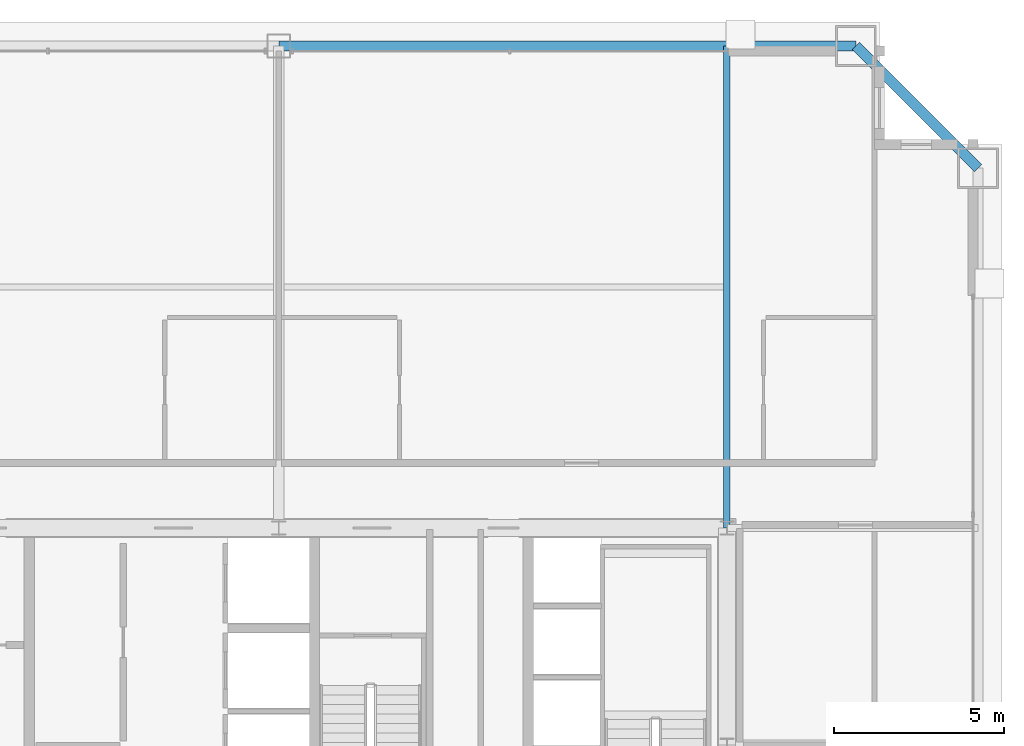
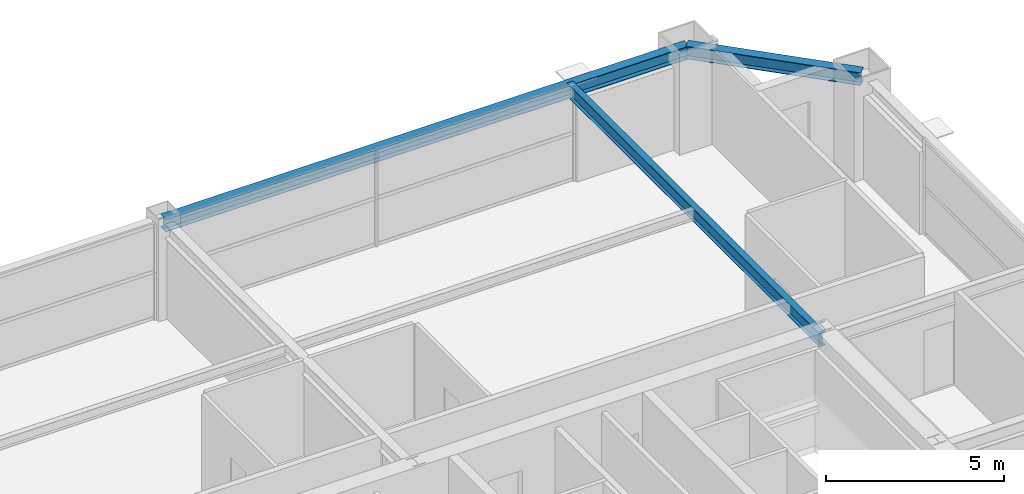
# One storey, part 29 of 36: 3 beams.
"""IFC4 building model written with IfcOpenShell, lengths in metres."""

from ifc_helpers import new_model, si_unit, direction, frame, origin, origin_2d, place, context, subcontext, project, spatial, i_section, extrude, source, transform, mapped, material, material_profile, profile_set, type_object, element, save


model = new_model("IFC4")

# Units and contexts
model_context = context("Model", 3, precision=1e-05, world=origin(), true_north=direction((0.0, 1.0)))
body_context = subcontext(model_context, "Body", "Model", "MODEL_VIEW")
ifc_project = project(units=[si_unit("LENGTHUNIT", "METRE"), si_unit("AREAUNIT", "SQUARE_METRE"), si_unit("VOLUMEUNIT", "CUBIC_METRE"), si_unit("PLANEANGLEUNIT", "RADIAN"), si_unit("MASSUNIT", "GRAM", prefix="KILO"), si_unit("THERMODYNAMICTEMPERATUREUNIT", "KELVIN"), si_unit("POWERUNIT", "WATT")], contexts=[model_context])

# Site, building, storey
site_placement = place(None, origin())
site = spatial("IfcSite", under=ifc_project, at=site_placement, CompositionType="ELEMENT")
building_placement = place(site_placement, origin())
building = spatial("IfcBuilding", under=site, at=building_placement, Name="Yuzanri Waterfront Tower", CompositionType="ELEMENT")
storey_placement = place(building_placement, frame((0.0, 0.0, 224.10009765625)))
storey = spatial("IfcBuildingStorey", under=building, at=storey_placement, Name="L59", CompositionType="ELEMENT", Elevation=224.10009765625)

# Beams
ifc_material_1 = material(Name="Steel Q355B", Category="steel")
ifc_material_profile_1 = material_profile(ifc_material_1, i_section(OverallWidth=0.300048828125, OverallDepth=0.43994140625, WebThickness=0.010986328125, FlangeThickness=0.01806640625, at=origin_2d()), Name="HM 440x300x11x18")
ifc_profile_set_1 = profile_set([ifc_material_profile_1], Name="Steel Q355B")
beam_type_1 = type_object("IfcBeamType", Name="Perimeter Spandrel Q355B HM 440x300", PredefinedType="SPANDREL", material=ifc_profile_set_1)
shared_shape_1 = source(origin(), body_context, "Body", "SweptSolid", [
    extrude(i_section(OverallWidth=0.300048828125, OverallDepth=0.43994140625, WebThickness=0.010986328125, FlangeThickness=0.01806640625, at=origin_2d()), origin(), (0.0, 0.0, 1.0), 5.091064453125),
])
beam_1_placement = place(storey_placement, frame((57.60009765625, 42.800048828125, 3.059814453125), z_axis=(-0.707130757816, 0.707082803744, 0.0), x_axis=(-0.707082803744, -0.707130757816, 0.0)))
element("IfcBeam", 1, at=beam_1_placement, inside=storey, type_object=beam_type_1, Name="L59 Perimeter Spandrel E3-N3", PredefinedType="SPANDREL", context=body_context, shape_type="MappedRepresentation", body=[
    mapped(shared_shape_1, transform((0.0, 0.0, 0.0), scale=1.0)),
])
shared_shape_2 = source(origin(), body_context, "Body", "SweptSolid", [
    extrude(i_section(OverallWidth=0.300048828125, OverallDepth=0.43994140625, WebThickness=0.010986328125, FlangeThickness=0.01806640625, at=origin_2d()), origin(), (0.0, 0.0, 1.0), 17.0),
])
beam_2_placement = place(storey_placement, frame((54.0, 46.39990234375, 3.059814453125), z_axis=(-1.0, 0.0, 0.0), x_axis=(0.0, -1.0, 0.0)))
element("IfcBeam", 2, at=beam_2_placement, inside=storey, type_object=beam_type_1, Name="L59 Perimeter Spandrel N3-N2", PredefinedType="SPANDREL", context=body_context, shape_type="MappedRepresentation", body=[
    mapped(shared_shape_2, transform((0.0, 0.0, 0.0), scale=1.0)),
])
ifc_material_2 = material(Name="Steel Q355B", Category="steel")
ifc_material_profile_2 = material_profile(ifc_material_2, i_section(OverallWidth=0.199951171875, OverallDepth=0.449951171875, WebThickness=0.009033203125, FlangeThickness=0.013916015625, at=origin_2d()), Name="HN 450x200x9x14")
ifc_profile_set_2 = profile_set([ifc_material_profile_2], Name="Steel Q355B")
beam_type_2 = type_object("IfcBeamType", Name="Secondary Floor Beam Q355B HN 450x200", PredefinedType="BEAM", material=ifc_profile_set_2)
shared_shape_3 = source(origin(), body_context, "Body", "SweptSolid", [
    extrude(i_section(OverallWidth=0.199951171875, OverallDepth=0.449951171875, WebThickness=0.009033203125, FlangeThickness=0.013916015625, at=origin_2d()), origin(), (0.0, 0.0, 1.0), 14.199951171875),
])
beam_3_placement = place(storey_placement, frame((50.199951171875, 32.199951171875, 3.054931640625), z_axis=(0.0, 1.0, 0.0), x_axis=(-1.0, 0.0, 0.0)))
element("IfcBeam", 3, at=beam_3_placement, inside=storey, type_object=beam_type_2, Name="L59 North-East Core Line Beam", PredefinedType="BEAM", context=body_context, shape_type="MappedRepresentation", body=[
    mapped(shared_shape_3, transform((0.0, 0.0, 0.0), scale=1.0)),
])

save(model, "model.ifc")
